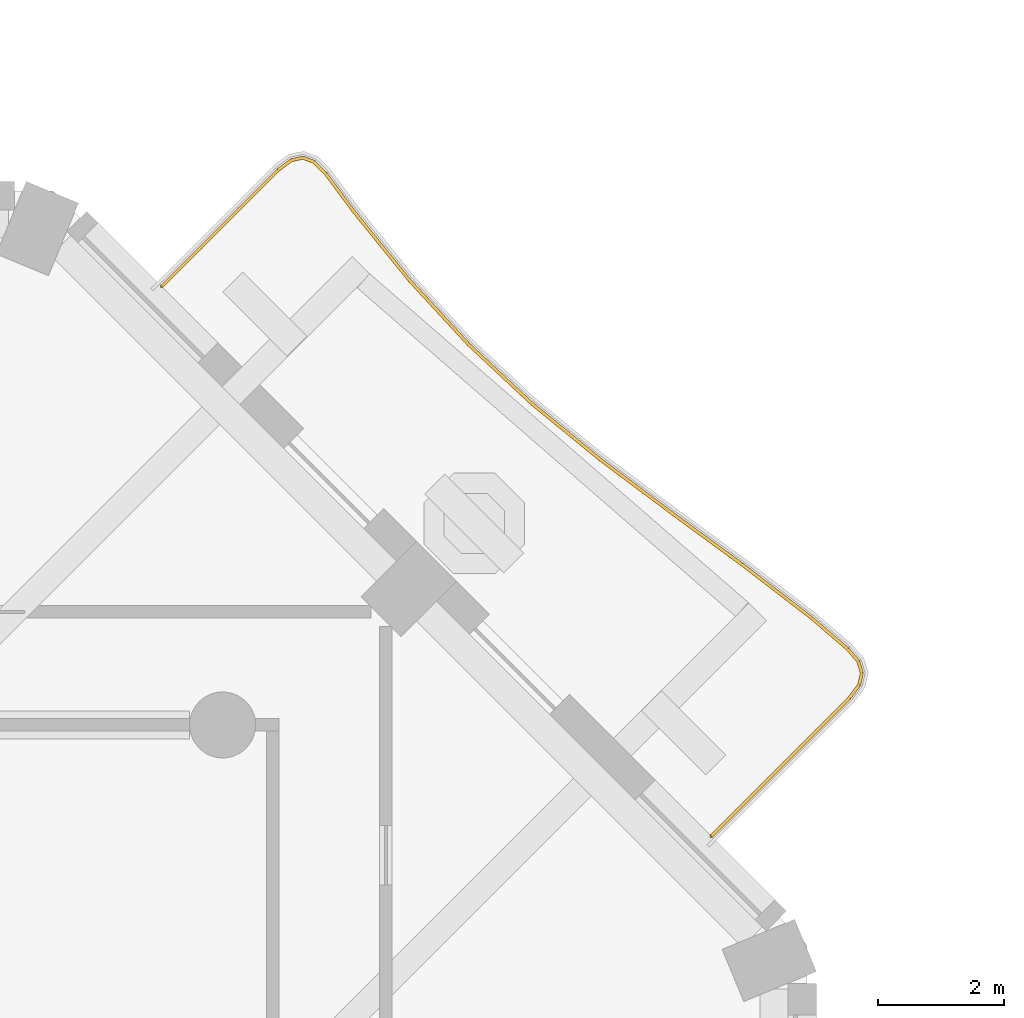
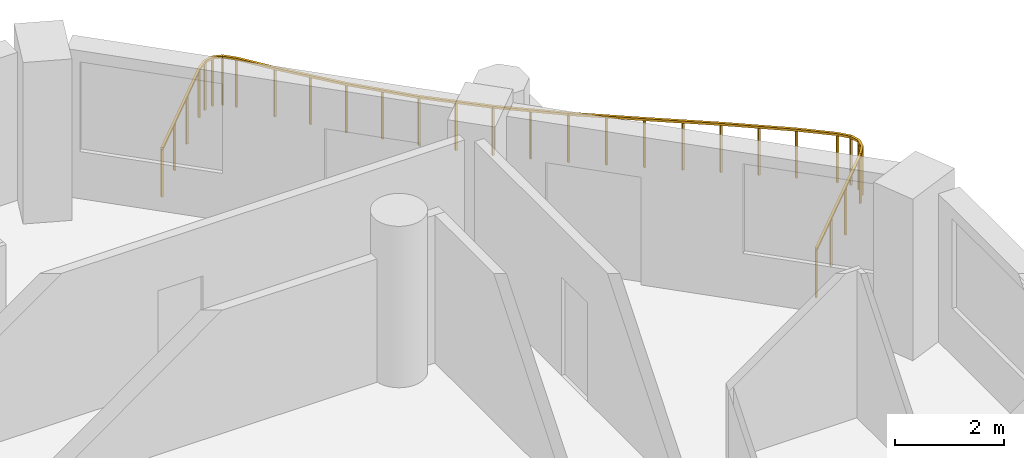
# One storey, part 19 of 20: 1 railing.
"""IFC4 building model written with IfcOpenShell, lengths in metres."""

from ifc_helpers import new_model, si_unit, direction, frame, origin, origin_2d, place, context, subcontext, project, spatial, rectangle, extrude, material, type_object, element, save


model = new_model("IFC4")

# Units and contexts
model_context = context("Model", 3, precision=1e-05, world=origin(), true_north=direction((0.0, 1.0)))
body_context = subcontext(model_context, "Body", "Model", "MODEL_VIEW")
ifc_project = project(units=[si_unit("LENGTHUNIT", "METRE"), si_unit("AREAUNIT", "SQUARE_METRE"), si_unit("VOLUMEUNIT", "CUBIC_METRE"), si_unit("PLANEANGLEUNIT", "RADIAN"), si_unit("MASSUNIT", "GRAM", prefix="KILO")], contexts=[model_context])

# Site, building, storey
site_placement = place(None, origin())
site = spatial("IfcSite", under=ifc_project, at=site_placement, CompositionType="ELEMENT")
building_placement = place(site_placement, origin())
building = spatial("IfcBuilding", under=site, at=building_placement, Name="Cypress Arch Tower", CompositionType="ELEMENT")
storey_placement = place(building_placement, frame((0.0, 0.0, 120.300048828125)))
storey = spatial("IfcBuildingStorey", under=building, at=storey_placement, Name="L25", CompositionType="ELEMENT", Elevation=120.300048828125)

# Railing
ifc_material = material(Name="Powder-coated steel posts and rods, 100 mm clear between rods", Category="steel")
railing_type = type_object("IfcRailingType", Name="Balcony guard GR1100", PredefinedType="GUARDRAIL", material=ifc_material)
railing_placement = place(storey_placement, frame((14.33251953125, 24.479736328125, 0.0)))
element("IfcRailing", 1, at=railing_placement, inside=storey, type_object=railing_type, Name="Balcony guard L25-A07", PredefinedType="GUARDRAIL", context=body_context, shape_type="SweptSolid", body=[
    extrude(rectangle(XDim=0.050048828125, YDim=0.050048828125, at=origin_2d()), frame((0.0, 0.0, 1.0751953125), z_axis=(0.707106781187, 0.707106781187, 0.0), x_axis=(-0.707106781187, 0.707106781187, 0.0)), (0.0, 0.0, 1.0), 2.622314453125),
    extrude(rectangle(XDim=0.050048828125, YDim=0.050048828125, at=origin_2d()), frame((1.854248046875, 1.854248046875, 1.0751953125), z_axis=(0.800566750152, 0.599243588661, 0.0), x_axis=(-0.599243588661, 0.800566750152, 0.0)), (0.0, 0.0, 1.0), 0.25830078125),
    extrude(rectangle(XDim=0.050048828125, YDim=0.050048828125, at=origin_2d()), frame((2.06103515625, 2.009033203125, 1.0751953125), z_axis=(0.978384916796, 0.20679205639, 0.0), x_axis=(-0.20679205639, 0.978384916796, 0.0)), (0.0, 0.0, 1.0), 0.18896484375),
    extrude(rectangle(XDim=0.050048828125, YDim=0.050048828125, at=origin_2d()), frame((2.245849609375, 2.048095703125, 1.0751953125), z_axis=(0.93770201156, -0.347440552493, 0.0), x_axis=(0.347440552493, 0.93770201156, 0.0)), (0.0, 0.0, 1.0), 0.18896484375),
    extrude(rectangle(XDim=0.050048828125, YDim=0.050048828125, at=origin_2d()), frame((2.423095703125, 1.982421875, 1.0751953125), z_axis=(0.705686416985, -0.708524298019, 0.0), x_axis=(0.708524298019, 0.705686416985, 0.0)), (0.0, 0.0, 1.0), 0.258056640625),
    extrude(rectangle(XDim=0.050048828125, YDim=0.050048828125, at=origin_2d()), frame((2.605224609375, 1.799560546875, 1.0751953125), z_axis=(0.596891774481, -0.802321761862, 0.0), x_axis=(0.802321761862, 0.596891774481, 0.0)), (0.0, 0.0, 1.0), 0.767822265625),
    extrude(rectangle(XDim=0.050048828125, YDim=0.050048828125, at=origin_2d()), frame((3.0634765625, 1.18359375, 1.0751953125), z_axis=(0.628866140053, -0.777513586952, 0.0), x_axis=(0.777513586952, 0.628866140053, 0.0)), (0.0, 0.0, 1.0), 1.39599609375),
    extrude(rectangle(XDim=0.050048828125, YDim=0.050048828125, at=origin_2d()), frame((3.94140625, 0.09814453125, 1.0751953125), z_axis=(0.677900713851, -0.735153468441, 0.0), x_axis=(0.735153468441, 0.677900713851, 0.0)), (0.0, 0.0, 1.0), 1.39013671875),
    extrude(rectangle(XDim=0.050048828125, YDim=0.050048828125, at=origin_2d()), frame((4.8837890625, -0.923828125, 1.0751953125), z_axis=(0.730593613489, -0.682812545235, 0.0), x_axis=(0.682812545235, 0.730593613489, 0.0)), (0.0, 0.0, 1.0), 1.389892578125),
    extrude(rectangle(XDim=0.050048828125, YDim=0.050048828125, at=origin_2d()), frame((5.899169921875, -1.872802734375, 1.0751953125), z_axis=(0.774323522922, -0.632789919207, 0.0), x_axis=(0.632789919207, 0.774323522922, 0.0)), (0.0, 0.0, 1.0), 1.3955078125),
    extrude(rectangle(XDim=0.050048828125, YDim=0.050048828125, at=origin_2d()), frame((6.979736328125, -2.755859375, 1.0751953125), z_axis=(0.800752035649, -0.598995974447, 0.0), x_axis=(0.598995974447, 0.800752035649, 0.0)), (0.0, 0.0, 1.0), 1.4013671875),
    extrude(rectangle(XDim=0.050048828125, YDim=0.050048828125, at=origin_2d()), frame((8.101806640625, -3.59521484375, 1.0751953125), z_axis=(0.807008058799, -0.590540424555, 0.0), x_axis=(0.590540424555, 0.807008058799, 0.0)), (0.0, 0.0, 1.0), 1.40185546875),
    extrude(rectangle(XDim=0.050048828125, YDim=0.050048828125, at=origin_2d()), frame((9.233154296875, -4.423095703125, 1.0751953125), z_axis=(0.792226980075, -0.610226525187, 0.0), x_axis=(0.610226525187, 0.792226980075, 0.0)), (0.0, 0.0, 1.0), 1.39501953125),
    extrude(rectangle(XDim=0.050048828125, YDim=0.050048828125, at=origin_2d()), frame((10.33837890625, -5.2744140625, 1.0751953125), z_axis=(0.758166121588, -0.652061448083, 0.0), x_axis=(0.652061448083, 0.758166121588, 0.0)), (0.0, 0.0, 1.0), 0.75927734375),
    extrude(rectangle(XDim=0.050048828125, YDim=0.050048828125, at=origin_2d()), frame((10.9140625, -5.76953125, 1.0751953125), z_axis=(0.656970638513, -0.753916162535, 0.0), x_axis=(0.753916162535, 0.656970638513, 0.0)), (0.0, 0.0, 1.0), 0.25927734375),
    extrude(rectangle(XDim=0.050048828125, YDim=0.050048828125, at=origin_2d()), frame((11.08447265625, -5.965087890625, 1.0751953125), z_axis=(0.296360048573, -0.955076290989, 0.0), x_axis=(0.955076290989, 0.296360048573, 0.0)), (0.0, 0.0, 1.0), 0.196044921875),
    extrude(rectangle(XDim=0.050048828125, YDim=0.050048828125, at=origin_2d()), frame((11.142578125, -6.15234375, 1.0751953125), z_axis=(-0.224041299099, -0.974579651079, 0.0), x_axis=(0.974579651079, -0.224041299099, 0.0)), (0.0, 0.0, 1.0), 0.196044921875),
    extrude(rectangle(XDim=0.050048828125, YDim=0.050048828125, at=origin_2d()), frame((11.0986328125, -6.343505859375, 1.0751953125), z_axis=(-0.598643719088, -0.801015416579, 0.0), x_axis=(0.801015416579, -0.598643719088, 0.0)), (0.0, 0.0, 1.0), 0.25927734375),
    extrude(rectangle(XDim=0.050048828125, YDim=0.050048828125, at=origin_2d()), frame((10.943359375, -6.55126953125, 1.0751953125), z_axis=(-0.707106781187, -0.707106781187, 0.0), x_axis=(0.707106781187, -0.707106781187, 0.0)), (0.0, 0.0, 1.0), 3.105712890625),
    extrude(rectangle(XDim=0.0400390625, YDim=0.0400390625, at=origin_2d()), origin(), (0.0, 0.0, 1.0), 1.050048828125),
    extrude(rectangle(XDim=0.0400390625, YDim=0.0400390625, at=origin_2d()), frame((0.6181640625, 0.6181640625, 0.0)), (0.0, 0.0, 1.0), 1.050048828125),
    extrude(rectangle(XDim=0.0400390625, YDim=0.0400390625, at=origin_2d()), frame((1.236083984375, 1.236083984375, 0.0)), (0.0, 0.0, 1.0), 1.050048828125),
    extrude(rectangle(XDim=0.0400390625, YDim=0.0400390625, at=origin_2d()), frame((1.854248046875, 1.854248046875, 0.0)), (0.0, 0.0, 1.0), 1.050048828125),
    extrude(rectangle(XDim=0.0400390625, YDim=0.0400390625, at=origin_2d()), frame((2.06103515625, 2.009033203125, 0.0)), (0.0, 0.0, 1.0), 1.050048828125),
    extrude(rectangle(XDim=0.0400390625, YDim=0.0400390625, at=origin_2d()), frame((2.245849609375, 2.048095703125, 0.0)), (0.0, 0.0, 1.0), 1.050048828125),
    extrude(rectangle(XDim=0.0400390625, YDim=0.0400390625, at=origin_2d()), frame((2.423095703125, 1.982421875, 0.0)), (0.0, 0.0, 1.0), 1.050048828125),
    extrude(rectangle(XDim=0.0400390625, YDim=0.0400390625, at=origin_2d()), frame((2.605224609375, 1.799560546875, 0.0)), (0.0, 0.0, 1.0), 1.050048828125),
    extrude(rectangle(XDim=0.0400390625, YDim=0.0400390625, at=origin_2d()), frame((3.0634765625, 1.18359375, 0.0)), (0.0, 0.0, 1.0), 1.050048828125),
    extrude(rectangle(XDim=0.0400390625, YDim=0.0400390625, at=origin_2d()), frame((3.50244140625, 0.640869140625, 0.0)), (0.0, 0.0, 1.0), 1.050048828125),
    extrude(rectangle(XDim=0.0400390625, YDim=0.0400390625, at=origin_2d()), frame((3.94140625, 0.09814453125, 0.0)), (0.0, 0.0, 1.0), 1.050048828125),
    extrude(rectangle(XDim=0.0400390625, YDim=0.0400390625, at=origin_2d()), frame((4.41259765625, -0.412841796875, 0.0)), (0.0, 0.0, 1.0), 1.050048828125),
    extrude(rectangle(XDim=0.0400390625, YDim=0.0400390625, at=origin_2d()), frame((4.8837890625, -0.923828125, 0.0)), (0.0, 0.0, 1.0), 1.050048828125),
    extrude(rectangle(XDim=0.0400390625, YDim=0.0400390625, at=origin_2d()), frame((5.3916015625, -1.3984375, 0.0)), (0.0, 0.0, 1.0), 1.050048828125),
    extrude(rectangle(XDim=0.0400390625, YDim=0.0400390625, at=origin_2d()), frame((5.899169921875, -1.872802734375, 0.0)), (0.0, 0.0, 1.0), 1.050048828125),
    extrude(rectangle(XDim=0.0400390625, YDim=0.0400390625, at=origin_2d()), frame((6.439453125, -2.314453125, 0.0)), (0.0, 0.0, 1.0), 1.050048828125),
    extrude(rectangle(XDim=0.0400390625, YDim=0.0400390625, at=origin_2d()), frame((6.979736328125, -2.755859375, 0.0)), (0.0, 0.0, 1.0), 1.050048828125),
    extrude(rectangle(XDim=0.0400390625, YDim=0.0400390625, at=origin_2d()), frame((7.540771484375, -3.175537109375, 0.0)), (0.0, 0.0, 1.0), 1.050048828125),
    extrude(rectangle(XDim=0.0400390625, YDim=0.0400390625, at=origin_2d()), frame((8.101806640625, -3.59521484375, 0.0)), (0.0, 0.0, 1.0), 1.050048828125),
    extrude(rectangle(XDim=0.0400390625, YDim=0.0400390625, at=origin_2d()), frame((8.66748046875, -4.00927734375, 0.0)), (0.0, 0.0, 1.0), 1.050048828125),
    extrude(rectangle(XDim=0.0400390625, YDim=0.0400390625, at=origin_2d()), frame((9.233154296875, -4.423095703125, 0.0)), (0.0, 0.0, 1.0), 1.050048828125),
    extrude(rectangle(XDim=0.0400390625, YDim=0.0400390625, at=origin_2d()), frame((9.78564453125, -4.8486328125, 0.0)), (0.0, 0.0, 1.0), 1.050048828125),
    extrude(rectangle(XDim=0.0400390625, YDim=0.0400390625, at=origin_2d()), frame((10.33837890625, -5.2744140625, 0.0)), (0.0, 0.0, 1.0), 1.050048828125),
    extrude(rectangle(XDim=0.0400390625, YDim=0.0400390625, at=origin_2d()), frame((10.9140625, -5.76953125, 0.0)), (0.0, 0.0, 1.0), 1.050048828125),
    extrude(rectangle(XDim=0.0400390625, YDim=0.0400390625, at=origin_2d()), frame((11.08447265625, -5.965087890625, 0.0)), (0.0, 0.0, 1.0), 1.050048828125),
    extrude(rectangle(XDim=0.0400390625, YDim=0.0400390625, at=origin_2d()), frame((11.142578125, -6.15234375, 0.0)), (0.0, 0.0, 1.0), 1.050048828125),
    extrude(rectangle(XDim=0.0400390625, YDim=0.0400390625, at=origin_2d()), frame((11.0986328125, -6.343505859375, 0.0)), (0.0, 0.0, 1.0), 1.050048828125),
    extrude(rectangle(XDim=0.0400390625, YDim=0.0400390625, at=origin_2d()), frame((10.943359375, -6.55126953125, 0.0)), (0.0, 0.0, 1.0), 1.050048828125),
    extrude(rectangle(XDim=0.0400390625, YDim=0.0400390625, at=origin_2d()), frame((10.21142578125, -7.283203125, 0.0)), (0.0, 0.0, 1.0), 1.050048828125),
    extrude(rectangle(XDim=0.0400390625, YDim=0.0400390625, at=origin_2d()), frame((9.479248046875, -8.015380859375, 0.0)), (0.0, 0.0, 1.0), 1.050048828125),
    extrude(rectangle(XDim=0.0400390625, YDim=0.0400390625, at=origin_2d()), frame((8.747314453125, -8.747314453125, 0.0)), (0.0, 0.0, 1.0), 1.050048828125),
])

save(model, "model.ifc")
